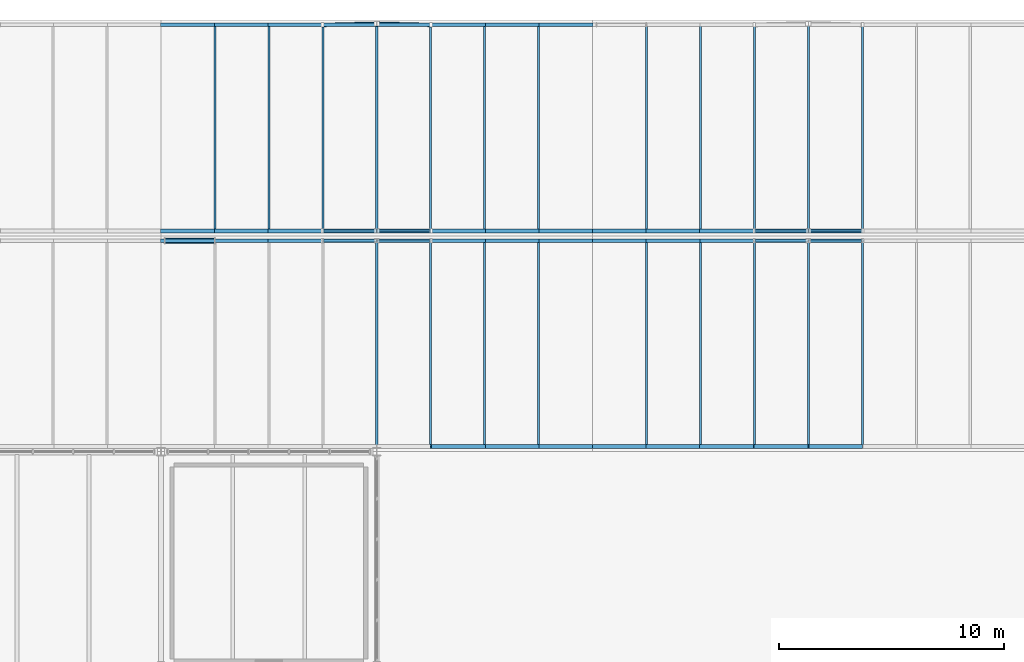
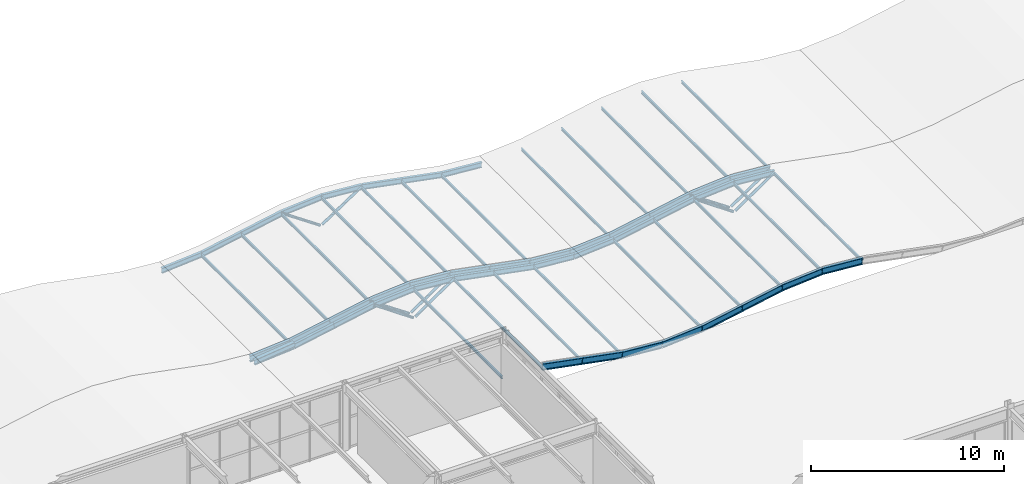
# One storey, part 113 of 170: 42 beams, 32 members.
"""IFC4 building model written with IfcOpenShell, lengths in metres."""

from ifc_helpers import new_model, si_unit, direction, frame, origin, origin_2d, place, context, subcontext, project, spatial, hollow_rectangle, hollow_circle, i_section, extrude, material, material_profile, profile_set, type_object, element, save


model = new_model("IFC4")

# Units and contexts
model_context = context("Model", 3, precision=1e-05, world=origin(), true_north=direction((0.0, 1.0)))
body_context = subcontext(model_context, "Body", "Model", "MODEL_VIEW")
ifc_project = project(units=[si_unit("LENGTHUNIT", "METRE"), si_unit("AREAUNIT", "SQUARE_METRE"), si_unit("VOLUMEUNIT", "CUBIC_METRE"), si_unit("PLANEANGLEUNIT", "RADIAN"), si_unit("MASSUNIT", "GRAM", prefix="KILO")], contexts=[model_context])

# Site, building, storey
site_placement = place(None, origin())
site = spatial("IfcSite", under=ifc_project, at=site_placement, CompositionType="ELEMENT")
building_placement = place(site_placement, origin())
building = spatial("IfcBuilding", under=site, at=building_placement, Name="Coralgate Yard Interchange", CompositionType="ELEMENT")
storey_placement = place(building_placement, frame((0.0, 0.0, 6.0)))
storey = spatial("IfcBuildingStorey", under=building, at=storey_placement, Name="L01", CompositionType="ELEMENT", Elevation=6.0)

# Beams
ifc_material_1 = material(Name="Off-white architectural structural steel S355J2", Category="steel")
ifc_material_profile_1 = material_profile(ifc_material_1, i_section(OverallWidth=0.179931640625, OverallDepth=0.39990234375, WebThickness=0.008544921875, FlangeThickness=0.013427734375, FilletRadius=0.02099609375, at=origin_2d()), Name="IPE 400")
ifc_profile_set_1 = profile_set([ifc_material_profile_1], Name="Off-white architectural structural steel S355J2")
beam_type_1 = type_object("IfcBeamType", Name="BM-WR-1", PredefinedType="BEAM", material=ifc_profile_set_1)
beam_1_placement = place(storey_placement, frame((108.0, 96.219970703125, 0.90966796875), z_axis=(0.98214301705, 0.0, -0.18813583938), x_axis=(0.0, 1.0, 0.0)))
element("IfcBeam", 1, at=beam_1_placement, inside=storey, type_object=beam_type_1, Name="Wave-shell steel arch rib R1-W4-S6", PredefinedType="BEAM", context=body_context, shape_type="SweptSolid", body=[
    extrude(i_section(OverallWidth=0.179931640625, OverallDepth=0.39990234375, WebThickness=0.008544921875, FlangeThickness=0.013427734375, FilletRadius=0.02099609375, at=origin_2d()), origin(), (0.0, 0.0, 1.0), 2.443603515625),
])
beam_2_placement = place(storey_placement, frame((110.39990234375, 96.219970703125, 0.449951171875), z_axis=(0.982165006537, 0.0, -0.188021009287), x_axis=(0.0, 1.0, 0.0)))
element("IfcBeam", 2, at=beam_2_placement, inside=storey, type_object=beam_type_1, Name="Wave-shell steel arch rib R1-W4-S7", PredefinedType="BEAM", context=body_context, shape_type="SweptSolid", body=[
    extrude(i_section(OverallWidth=0.179931640625, OverallDepth=0.39990234375, WebThickness=0.008544921875, FlangeThickness=0.013427734375, FilletRadius=0.02099609375, at=origin_2d()), origin(), (0.0, 0.0, 1.0), 2.44384765625),
])
beam_3_placement = place(storey_placement, frame((112.800048828125, 96.219970703125, -0.009521484375), z_axis=(0.996866661985, 0.0, -0.079100304817), x_axis=(0.0, 1.0, 0.0)))
element("IfcBeam", 3, at=beam_3_placement, inside=storey, type_object=beam_type_1, Name="Wave-shell steel arch rib R1-W4-S8", PredefinedType="BEAM", context=body_context, shape_type="SweptSolid", body=[
    extrude(i_section(OverallWidth=0.179931640625, OverallDepth=0.39990234375, WebThickness=0.008544921875, FlangeThickness=0.013427734375, FilletRadius=0.02099609375, at=origin_2d()), origin(), (0.0, 0.0, 1.0), 2.407470703125),
])
beam_4_placement = place(storey_placement, frame((115.199951171875, 96.219970703125, -0.199951171875), z_axis=(0.996867296401, 0.0, 0.079092309144), x_axis=(0.0, 1.0, 0.0)))
element("IfcBeam", 4, at=beam_4_placement, inside=storey, type_object=beam_type_1, Name="Wave-shell steel arch rib R1-W5-S1", PredefinedType="BEAM", context=body_context, shape_type="SweptSolid", body=[
    extrude(i_section(OverallWidth=0.179931640625, OverallDepth=0.39990234375, WebThickness=0.008544921875, FlangeThickness=0.013427734375, FilletRadius=0.02099609375, at=origin_2d()), origin(), (0.0, 0.0, 1.0), 2.40771484375),
])
for number, where, z_axis, x_axis, name in (
    (5, (117.60009765625, 96.219970703125, -0.009521484375), (0.98216147419, 0.0, 0.188039460267), (0.0, 1.0, 0.0), "Wave-shell steel arch rib R1-W5-S2"),
    (6, (120.0, 96.219970703125, 0.449951171875), (0.98214301705, 0.0, 0.18813583938), (0.0, 1.0, 0.0), "Wave-shell steel arch rib R1-W5-S3"),
):
    element("IfcBeam", number, at=place(storey_placement, frame(where, z_axis=z_axis, x_axis=x_axis)), inside=storey, type_object=beam_type_1, Name=name, PredefinedType="BEAM", context=body_context, shape_type="SweptSolid", body=[
        extrude(i_section(OverallWidth=0.179931640625, OverallDepth=0.39990234375, WebThickness=0.008544921875, FlangeThickness=0.013427734375, FilletRadius=0.02099609375, at=origin_2d()), origin(), (0.0, 0.0, 1.0), 2.443603515625),
    ])
beam_5_placement = place(storey_placement, frame((122.39990234375, 96.219970703125, 0.90966796875), z_axis=(0.996867296401, 0.0, 0.079092309144), x_axis=(0.0, 1.0, 0.0)))
element("IfcBeam", 7, at=beam_5_placement, inside=storey, type_object=beam_type_1, Name="Wave-shell steel arch rib R1-W5-S4", PredefinedType="BEAM", context=body_context, shape_type="SweptSolid", body=[
    extrude(i_section(OverallWidth=0.179931640625, OverallDepth=0.39990234375, WebThickness=0.008544921875, FlangeThickness=0.013427734375, FilletRadius=0.02099609375, at=origin_2d()), origin(), (0.0, 0.0, 1.0), 2.40771484375),
])
for number, where, z_axis, x_axis, name in (
    (8, (124.800048828125, 96.219970703125, 1.10009765625), (0.996866661985, 0.0, -0.079100304817), (0.0, 1.0, 0.0), "Wave-shell steel arch rib R1-W5-S5"),
    (9, (96.0, 105.820068359375, -0.199951171875), (0.996866661985, 0.0, 0.079100304817), (0.0, 1.0, 0.0), "Wave-shell steel arch rib R2-W4-S1"),
):
    element("IfcBeam", number, at=place(storey_placement, frame(where, z_axis=z_axis, x_axis=x_axis)), inside=storey, type_object=beam_type_1, Name=name, PredefinedType="BEAM", context=body_context, shape_type="SweptSolid", body=[
        extrude(i_section(OverallWidth=0.179931640625, OverallDepth=0.39990234375, WebThickness=0.008544921875, FlangeThickness=0.013427734375, FilletRadius=0.02099609375, at=origin_2d()), origin(), (0.0, 0.0, 1.0), 2.407470703125),
    ])
beam_6_placement = place(storey_placement, frame((98.39990234375, 105.820068359375, -0.009521484375), z_axis=(0.982165006537, 0.0, 0.188021009287), x_axis=(0.0, 1.0, 0.0)))
element("IfcBeam", 10, at=beam_6_placement, inside=storey, type_object=beam_type_1, Name="Wave-shell steel arch rib R2-W4-S2", PredefinedType="BEAM", context=body_context, shape_type="SweptSolid", body=[
    extrude(i_section(OverallWidth=0.179931640625, OverallDepth=0.39990234375, WebThickness=0.008544921875, FlangeThickness=0.013427734375, FilletRadius=0.02099609375, at=origin_2d()), origin(), (0.0, 0.0, 1.0), 2.44384765625),
])
beam_7_placement = place(storey_placement, frame((100.800048828125, 105.820068359375, 0.449951171875), z_axis=(0.98214301705, 0.0, 0.18813583938), x_axis=(0.0, 1.0, 0.0)))
element("IfcBeam", 11, at=beam_7_placement, inside=storey, type_object=beam_type_1, Name="Wave-shell steel arch rib R2-W4-S3", PredefinedType="BEAM", context=body_context, shape_type="SweptSolid", body=[
    extrude(i_section(OverallWidth=0.179931640625, OverallDepth=0.39990234375, WebThickness=0.008544921875, FlangeThickness=0.013427734375, FilletRadius=0.02099609375, at=origin_2d()), origin(), (0.0, 0.0, 1.0), 2.443603515625),
])
beam_8_placement = place(storey_placement, frame((103.199951171875, 105.820068359375, 0.90966796875), z_axis=(0.996867296401, 0.0, 0.079092309144), x_axis=(0.0, 1.0, 0.0)))
element("IfcBeam", 12, at=beam_8_placement, inside=storey, type_object=beam_type_1, Name="Wave-shell steel arch rib R2-W4-S4", PredefinedType="BEAM", context=body_context, shape_type="SweptSolid", body=[
    extrude(i_section(OverallWidth=0.179931640625, OverallDepth=0.39990234375, WebThickness=0.008544921875, FlangeThickness=0.013427734375, FilletRadius=0.02099609375, at=origin_2d()), origin(), (0.0, 0.0, 1.0), 2.40771484375),
])
beam_9_placement = place(storey_placement, frame((105.60009765625, 105.820068359375, 1.10009765625), z_axis=(0.996866661985, 0.0, -0.079100304817), x_axis=(0.0, 1.0, 0.0)))
element("IfcBeam", 13, at=beam_9_placement, inside=storey, type_object=beam_type_1, Name="Wave-shell steel arch rib R2-W4-S5", PredefinedType="BEAM", context=body_context, shape_type="SweptSolid", body=[
    extrude(i_section(OverallWidth=0.179931640625, OverallDepth=0.39990234375, WebThickness=0.008544921875, FlangeThickness=0.013427734375, FilletRadius=0.02099609375, at=origin_2d()), origin(), (0.0, 0.0, 1.0), 2.407470703125),
])
beam_10_placement = place(storey_placement, frame((108.0, 105.820068359375, 0.90966796875), z_axis=(0.98214301705, 0.0, -0.18813583938), x_axis=(0.0, 1.0, 0.0)))
element("IfcBeam", 14, at=beam_10_placement, inside=storey, type_object=beam_type_1, Name="Wave-shell steel arch rib R2-W4-S6", PredefinedType="BEAM", context=body_context, shape_type="SweptSolid", body=[
    extrude(i_section(OverallWidth=0.179931640625, OverallDepth=0.39990234375, WebThickness=0.008544921875, FlangeThickness=0.013427734375, FilletRadius=0.02099609375, at=origin_2d()), origin(), (0.0, 0.0, 1.0), 2.443603515625),
])
beam_11_placement = place(storey_placement, frame((110.39990234375, 105.820068359375, 0.449951171875), z_axis=(0.982165006537, 0.0, -0.188021009287), x_axis=(0.0, 1.0, 0.0)))
element("IfcBeam", 15, at=beam_11_placement, inside=storey, type_object=beam_type_1, Name="Wave-shell steel arch rib R2-W4-S7", PredefinedType="BEAM", context=body_context, shape_type="SweptSolid", body=[
    extrude(i_section(OverallWidth=0.179931640625, OverallDepth=0.39990234375, WebThickness=0.008544921875, FlangeThickness=0.013427734375, FilletRadius=0.02099609375, at=origin_2d()), origin(), (0.0, 0.0, 1.0), 2.44384765625),
])
beam_12_placement = place(storey_placement, frame((112.800048828125, 105.820068359375, -0.009521484375), z_axis=(0.996866661985, 0.0, -0.079100304817), x_axis=(0.0, 1.0, 0.0)))
element("IfcBeam", 16, at=beam_12_placement, inside=storey, type_object=beam_type_1, Name="Wave-shell steel arch rib R2-W4-S8", PredefinedType="BEAM", context=body_context, shape_type="SweptSolid", body=[
    extrude(i_section(OverallWidth=0.179931640625, OverallDepth=0.39990234375, WebThickness=0.008544921875, FlangeThickness=0.013427734375, FilletRadius=0.02099609375, at=origin_2d()), origin(), (0.0, 0.0, 1.0), 2.407470703125),
])
beam_13_placement = place(storey_placement, frame((115.199951171875, 105.820068359375, -0.199951171875), z_axis=(0.996867296401, 0.0, 0.079092309144), x_axis=(0.0, 1.0, 0.0)))
element("IfcBeam", 17, at=beam_13_placement, inside=storey, type_object=beam_type_1, Name="Wave-shell steel arch rib R2-W5-S1", PredefinedType="BEAM", context=body_context, shape_type="SweptSolid", body=[
    extrude(i_section(OverallWidth=0.179931640625, OverallDepth=0.39990234375, WebThickness=0.008544921875, FlangeThickness=0.013427734375, FilletRadius=0.02099609375, at=origin_2d()), origin(), (0.0, 0.0, 1.0), 2.40771484375),
])
for number, where, z_axis, x_axis, name in (
    (18, (117.60009765625, 105.820068359375, -0.009521484375), (0.98216147419, 0.0, 0.188039460267), (0.0, 1.0, 0.0), "Wave-shell steel arch rib R2-W5-S2"),
    (19, (120.0, 105.820068359375, 0.449951171875), (0.98214301705, 0.0, 0.18813583938), (0.0, 1.0, 0.0), "Wave-shell steel arch rib R2-W5-S3"),
):
    element("IfcBeam", number, at=place(storey_placement, frame(where, z_axis=z_axis, x_axis=x_axis)), inside=storey, type_object=beam_type_1, Name=name, PredefinedType="BEAM", context=body_context, shape_type="SweptSolid", body=[
        extrude(i_section(OverallWidth=0.179931640625, OverallDepth=0.39990234375, WebThickness=0.008544921875, FlangeThickness=0.013427734375, FilletRadius=0.02099609375, at=origin_2d()), origin(), (0.0, 0.0, 1.0), 2.443603515625),
    ])
beam_14_placement = place(storey_placement, frame((122.39990234375, 105.820068359375, 0.90966796875), z_axis=(0.996867296401, 0.0, 0.079092309144), x_axis=(0.0, 1.0, 0.0)))
element("IfcBeam", 20, at=beam_14_placement, inside=storey, type_object=beam_type_1, Name="Wave-shell steel arch rib R2-W5-S4", PredefinedType="BEAM", context=body_context, shape_type="SweptSolid", body=[
    extrude(i_section(OverallWidth=0.179931640625, OverallDepth=0.39990234375, WebThickness=0.008544921875, FlangeThickness=0.013427734375, FilletRadius=0.02099609375, at=origin_2d()), origin(), (0.0, 0.0, 1.0), 2.40771484375),
])
beam_15_placement = place(storey_placement, frame((124.800048828125, 105.820068359375, 1.10009765625), z_axis=(0.996866661985, 0.0, -0.079100304817), x_axis=(0.0, 1.0, 0.0)))
element("IfcBeam", 21, at=beam_15_placement, inside=storey, type_object=beam_type_1, Name="Wave-shell steel arch rib R2-W5-S5", PredefinedType="BEAM", context=body_context, shape_type="SweptSolid", body=[
    extrude(i_section(OverallWidth=0.179931640625, OverallDepth=0.39990234375, WebThickness=0.008544921875, FlangeThickness=0.013427734375, FilletRadius=0.02099609375, at=origin_2d()), origin(), (0.0, 0.0, 1.0), 2.407470703125),
])
ifc_material_profile_2 = material_profile(ifc_material_1, i_section(OverallWidth=0.159912109375, OverallDepth=0.330078125, WebThickness=0.007568359375, FlangeThickness=0.011474609375, FilletRadius=0.01806640625, at=origin_2d()), Name="IPE 330")
ifc_profile_set_2 = profile_set([ifc_material_profile_2], Name="Off-white architectural structural steel S355J2")
beam_type_2 = type_object("IfcBeamType", Name="BM-WR-2", PredefinedType="BEAM", material=ifc_profile_set_2)
beam_16_placement = place(storey_placement, frame((96.0, 105.3798828125, -0.1650390625), z_axis=(0.996866661985, 0.0, 0.079100304817), x_axis=(0.0, 1.0, 0.0)))
element("IfcBeam", 22, at=beam_16_placement, inside=storey, type_object=beam_type_2, Name="Wave-shell steel arch rib R1-W4-N1", PredefinedType="BEAM", context=body_context, shape_type="SweptSolid", body=[
    extrude(i_section(OverallWidth=0.159912109375, OverallDepth=0.330078125, WebThickness=0.007568359375, FlangeThickness=0.011474609375, FilletRadius=0.01806640625, at=origin_2d()), origin(), (0.0, 0.0, 1.0), 2.407470703125),
])
beam_17_placement = place(storey_placement, frame((98.39990234375, 105.3798828125, 0.025390625), z_axis=(0.982146552954, 0.0, 0.188117379637), x_axis=(0.0, 1.0, 0.0)))
element("IfcBeam", 23, at=beam_17_placement, inside=storey, type_object=beam_type_2, Name="Wave-shell steel arch rib R1-W4-N2", PredefinedType="BEAM", context=body_context, shape_type="SweptSolid", body=[
    extrude(i_section(OverallWidth=0.159912109375, OverallDepth=0.330078125, WebThickness=0.007568359375, FlangeThickness=0.011474609375, FilletRadius=0.01806640625, at=origin_2d()), origin(), (0.0, 0.0, 1.0), 2.44384765625),
])
beam_18_placement = place(storey_placement, frame((100.800048828125, 105.3798828125, 0.485107421875), z_axis=(0.98216147419, 0.0, 0.188039460267), x_axis=(0.0, 1.0, 0.0)))
element("IfcBeam", 24, at=beam_18_placement, inside=storey, type_object=beam_type_2, Name="Wave-shell steel arch rib R1-W4-N3", PredefinedType="BEAM", context=body_context, shape_type="SweptSolid", body=[
    extrude(i_section(OverallWidth=0.159912109375, OverallDepth=0.330078125, WebThickness=0.007568359375, FlangeThickness=0.011474609375, FilletRadius=0.01806640625, at=origin_2d()), origin(), (0.0, 0.0, 1.0), 2.443603515625),
])
beam_19_placement = place(storey_placement, frame((103.199951171875, 105.3798828125, 0.944580078125), z_axis=(0.996867296401, 0.0, 0.079092309144), x_axis=(0.0, 1.0, 0.0)))
element("IfcBeam", 25, at=beam_19_placement, inside=storey, type_object=beam_type_2, Name="Wave-shell steel arch rib R1-W4-N4", PredefinedType="BEAM", context=body_context, shape_type="SweptSolid", body=[
    extrude(i_section(OverallWidth=0.159912109375, OverallDepth=0.330078125, WebThickness=0.007568359375, FlangeThickness=0.011474609375, FilletRadius=0.01806640625, at=origin_2d()), origin(), (0.0, 0.0, 1.0), 2.40771484375),
])
beam_20_placement = place(storey_placement, frame((105.60009765625, 105.3798828125, 1.135009765625), z_axis=(0.996866661985, 0.0, -0.079100304817), x_axis=(0.0, 1.0, 0.0)))
element("IfcBeam", 26, at=beam_20_placement, inside=storey, type_object=beam_type_2, Name="Wave-shell steel arch rib R1-W4-N5", PredefinedType="BEAM", context=body_context, shape_type="SweptSolid", body=[
    extrude(i_section(OverallWidth=0.159912109375, OverallDepth=0.330078125, WebThickness=0.007568359375, FlangeThickness=0.011474609375, FilletRadius=0.01806640625, at=origin_2d()), origin(), (0.0, 0.0, 1.0), 2.407470703125),
])
beam_21_placement = place(storey_placement, frame((108.0, 105.3798828125, 0.944580078125), z_axis=(0.98216147419, 0.0, -0.188039460267), x_axis=(0.0, 1.0, 0.0)))
element("IfcBeam", 27, at=beam_21_placement, inside=storey, type_object=beam_type_2, Name="Wave-shell steel arch rib R1-W4-N6", PredefinedType="BEAM", context=body_context, shape_type="SweptSolid", body=[
    extrude(i_section(OverallWidth=0.159912109375, OverallDepth=0.330078125, WebThickness=0.007568359375, FlangeThickness=0.011474609375, FilletRadius=0.01806640625, at=origin_2d()), origin(), (0.0, 0.0, 1.0), 2.443603515625),
])
beam_22_placement = place(storey_placement, frame((110.39990234375, 105.3798828125, 0.485107421875), z_axis=(0.982146552954, 0.0, -0.188117379637), x_axis=(0.0, 1.0, 0.0)))
element("IfcBeam", 28, at=beam_22_placement, inside=storey, type_object=beam_type_2, Name="Wave-shell steel arch rib R1-W4-N7", PredefinedType="BEAM", context=body_context, shape_type="SweptSolid", body=[
    extrude(i_section(OverallWidth=0.159912109375, OverallDepth=0.330078125, WebThickness=0.007568359375, FlangeThickness=0.011474609375, FilletRadius=0.01806640625, at=origin_2d()), origin(), (0.0, 0.0, 1.0), 2.44384765625),
])
beam_23_placement = place(storey_placement, frame((112.800048828125, 105.3798828125, 0.025390625), z_axis=(0.996866661985, 0.0, -0.079100304817), x_axis=(0.0, 1.0, 0.0)))
element("IfcBeam", 29, at=beam_23_placement, inside=storey, type_object=beam_type_2, Name="Wave-shell steel arch rib R1-W4-N8", PredefinedType="BEAM", context=body_context, shape_type="SweptSolid", body=[
    extrude(i_section(OverallWidth=0.159912109375, OverallDepth=0.330078125, WebThickness=0.007568359375, FlangeThickness=0.011474609375, FilletRadius=0.01806640625, at=origin_2d()), origin(), (0.0, 0.0, 1.0), 2.407470703125),
])
beam_24_placement = place(storey_placement, frame((115.199951171875, 105.3798828125, -0.1650390625), z_axis=(0.996867296401, 0.0, 0.079092309144), x_axis=(0.0, 1.0, 0.0)))
element("IfcBeam", 30, at=beam_24_placement, inside=storey, type_object=beam_type_2, Name="Wave-shell steel arch rib R1-W5-N1", PredefinedType="BEAM", context=body_context, shape_type="SweptSolid", body=[
    extrude(i_section(OverallWidth=0.159912109375, OverallDepth=0.330078125, WebThickness=0.007568359375, FlangeThickness=0.011474609375, FilletRadius=0.01806640625, at=origin_2d()), origin(), (0.0, 0.0, 1.0), 2.40771484375),
])
for number, where, z_axis, x_axis, name in (
    (31, (117.60009765625, 105.3798828125, 0.025390625), (0.98214301705, 0.0, 0.18813583938), (0.0, 1.0, 0.0), "Wave-shell steel arch rib R1-W5-N2"),
    (32, (120.0, 105.3798828125, 0.485107421875), (0.98216147419, 0.0, 0.188039460267), (0.0, 1.0, 0.0), "Wave-shell steel arch rib R1-W5-N3"),
):
    element("IfcBeam", number, at=place(storey_placement, frame(where, z_axis=z_axis, x_axis=x_axis)), inside=storey, type_object=beam_type_2, Name=name, PredefinedType="BEAM", context=body_context, shape_type="SweptSolid", body=[
        extrude(i_section(OverallWidth=0.159912109375, OverallDepth=0.330078125, WebThickness=0.007568359375, FlangeThickness=0.011474609375, FilletRadius=0.01806640625, at=origin_2d()), origin(), (0.0, 0.0, 1.0), 2.443603515625),
    ])
beam_25_placement = place(storey_placement, frame((122.39990234375, 105.3798828125, 0.944580078125), z_axis=(0.996867296401, 0.0, 0.079092309144), x_axis=(0.0, 1.0, 0.0)))
element("IfcBeam", 33, at=beam_25_placement, inside=storey, type_object=beam_type_2, Name="Wave-shell steel arch rib R1-W5-N4", PredefinedType="BEAM", context=body_context, shape_type="SweptSolid", body=[
    extrude(i_section(OverallWidth=0.159912109375, OverallDepth=0.330078125, WebThickness=0.007568359375, FlangeThickness=0.011474609375, FilletRadius=0.01806640625, at=origin_2d()), origin(), (0.0, 0.0, 1.0), 2.40771484375),
])
for number, where, z_axis, x_axis, name in (
    (34, (124.800048828125, 105.3798828125, 1.135009765625), (0.996866661985, 0.0, -0.079100304817), (0.0, 1.0, 0.0), "Wave-shell steel arch rib R1-W5-N5"),
    (35, (96.0, 114.97998046875, -0.1650390625), (0.996866661985, 0.0, 0.079100304817), (0.0, 1.0, 0.0), "Wave-shell steel arch rib R2-W4-N1"),
):
    element("IfcBeam", number, at=place(storey_placement, frame(where, z_axis=z_axis, x_axis=x_axis)), inside=storey, type_object=beam_type_2, Name=name, PredefinedType="BEAM", context=body_context, shape_type="SweptSolid", body=[
        extrude(i_section(OverallWidth=0.159912109375, OverallDepth=0.330078125, WebThickness=0.007568359375, FlangeThickness=0.011474609375, FilletRadius=0.01806640625, at=origin_2d()), origin(), (0.0, 0.0, 1.0), 2.407470703125),
    ])
beam_26_placement = place(storey_placement, frame((98.39990234375, 114.97998046875, 0.025390625), z_axis=(0.982146552954, 0.0, 0.188117379637), x_axis=(0.0, 1.0, 0.0)))
element("IfcBeam", 36, at=beam_26_placement, inside=storey, type_object=beam_type_2, Name="Wave-shell steel arch rib R2-W4-N2", PredefinedType="BEAM", context=body_context, shape_type="SweptSolid", body=[
    extrude(i_section(OverallWidth=0.159912109375, OverallDepth=0.330078125, WebThickness=0.007568359375, FlangeThickness=0.011474609375, FilletRadius=0.01806640625, at=origin_2d()), origin(), (0.0, 0.0, 1.0), 2.44384765625),
])
beam_27_placement = place(storey_placement, frame((100.800048828125, 114.97998046875, 0.485107421875), z_axis=(0.98216147419, 0.0, 0.188039460267), x_axis=(0.0, 1.0, 0.0)))
element("IfcBeam", 37, at=beam_27_placement, inside=storey, type_object=beam_type_2, Name="Wave-shell steel arch rib R2-W4-N3", PredefinedType="BEAM", context=body_context, shape_type="SweptSolid", body=[
    extrude(i_section(OverallWidth=0.159912109375, OverallDepth=0.330078125, WebThickness=0.007568359375, FlangeThickness=0.011474609375, FilletRadius=0.01806640625, at=origin_2d()), origin(), (0.0, 0.0, 1.0), 2.443603515625),
])
beam_28_placement = place(storey_placement, frame((103.199951171875, 114.97998046875, 0.944580078125), z_axis=(0.996867296401, 0.0, 0.079092309144), x_axis=(0.0, 1.0, 0.0)))
element("IfcBeam", 38, at=beam_28_placement, inside=storey, type_object=beam_type_2, Name="Wave-shell steel arch rib R2-W4-N4", PredefinedType="BEAM", context=body_context, shape_type="SweptSolid", body=[
    extrude(i_section(OverallWidth=0.159912109375, OverallDepth=0.330078125, WebThickness=0.007568359375, FlangeThickness=0.011474609375, FilletRadius=0.01806640625, at=origin_2d()), origin(), (0.0, 0.0, 1.0), 2.40771484375),
])
beam_29_placement = place(storey_placement, frame((105.60009765625, 114.97998046875, 1.135009765625), z_axis=(0.996866661985, 0.0, -0.079100304817), x_axis=(0.0, 1.0, 0.0)))
element("IfcBeam", 39, at=beam_29_placement, inside=storey, type_object=beam_type_2, Name="Wave-shell steel arch rib R2-W4-N5", PredefinedType="BEAM", context=body_context, shape_type="SweptSolid", body=[
    extrude(i_section(OverallWidth=0.159912109375, OverallDepth=0.330078125, WebThickness=0.007568359375, FlangeThickness=0.011474609375, FilletRadius=0.01806640625, at=origin_2d()), origin(), (0.0, 0.0, 1.0), 2.407470703125),
])
beam_30_placement = place(storey_placement, frame((108.0, 114.97998046875, 0.944580078125), z_axis=(0.98216147419, 0.0, -0.188039460267), x_axis=(0.0, 1.0, 0.0)))
element("IfcBeam", 40, at=beam_30_placement, inside=storey, type_object=beam_type_2, Name="Wave-shell steel arch rib R2-W4-N6", PredefinedType="BEAM", context=body_context, shape_type="SweptSolid", body=[
    extrude(i_section(OverallWidth=0.159912109375, OverallDepth=0.330078125, WebThickness=0.007568359375, FlangeThickness=0.011474609375, FilletRadius=0.01806640625, at=origin_2d()), origin(), (0.0, 0.0, 1.0), 2.443603515625),
])
beam_31_placement = place(storey_placement, frame((110.39990234375, 114.97998046875, 0.485107421875), z_axis=(0.982146552954, 0.0, -0.188117379637), x_axis=(0.0, 1.0, 0.0)))
element("IfcBeam", 41, at=beam_31_placement, inside=storey, type_object=beam_type_2, Name="Wave-shell steel arch rib R2-W4-N7", PredefinedType="BEAM", context=body_context, shape_type="SweptSolid", body=[
    extrude(i_section(OverallWidth=0.159912109375, OverallDepth=0.330078125, WebThickness=0.007568359375, FlangeThickness=0.011474609375, FilletRadius=0.01806640625, at=origin_2d()), origin(), (0.0, 0.0, 1.0), 2.44384765625),
])
beam_32_placement = place(storey_placement, frame((112.800048828125, 114.97998046875, 0.025390625), z_axis=(0.996866661985, 0.0, -0.079100304817), x_axis=(0.0, 1.0, 0.0)))
element("IfcBeam", 42, at=beam_32_placement, inside=storey, type_object=beam_type_2, Name="Wave-shell steel arch rib R2-W4-N8", PredefinedType="BEAM", context=body_context, shape_type="SweptSolid", body=[
    extrude(i_section(OverallWidth=0.159912109375, OverallDepth=0.330078125, WebThickness=0.007568359375, FlangeThickness=0.011474609375, FilletRadius=0.01806640625, at=origin_2d()), origin(), (0.0, 0.0, 1.0), 2.407470703125),
])

# Members
ifc_material_2 = material(Name="Weather-coated structural steel S355J2", Category="steel")
ifc_material_profile_3 = material_profile(ifc_material_2, hollow_rectangle(XDim=0.25, YDim=0.25, WallThickness=0.012451171875, InnerFilletRadius=0.012451171875, OuterFilletRadius=0.02490234375, at=origin_2d()), Name="SHS 250x250x12.5")
ifc_profile_set_3 = profile_set([ifc_material_profile_3], Name="Weather-coated structural steel S355J2")
member_type_1 = type_object("IfcMemberType", Name="MB-GC-4", PredefinedType="CHORD", material=ifc_profile_set_3)
member_1_placement = place(storey_placement, frame((96.179931640625, 105.3798828125, -0.080078125), z_axis=(0.993088023617, 0.0, 0.117371961508), x_axis=(0.0, 1.0, 0.0)))
element("IfcMember", 43, at=member_1_placement, inside=storey, type_object=member_type_1, Name="Wave-canopy longitudinal tie member 4", PredefinedType="CHORD", context=body_context, shape_type="SweptSolid", body=[
    extrude(hollow_rectangle(XDim=0.25, YDim=0.25, WallThickness=0.012451171875, InnerFilletRadius=0.012451171875, OuterFilletRadius=0.02490234375, at=origin_2d()), origin(), (0.0, 0.0, 1.0), 2.21533203125),
])
ifc_material_3 = material(Name="Yellow-ochre weather-coated structural steel S355J2", Category="steel")
ifc_material_profile_4 = material_profile(ifc_material_3, hollow_circle(Radius=0.084228515625, WallThickness=0.008056640625, at=origin_2d()), Name="CHS 168.3x8")
ifc_profile_set_4 = profile_set([ifc_material_profile_4], Name="Yellow-ochre weather-coated structural steel S355J2")
member_type_2 = type_object("IfcMemberType", Name="MB-HG-2", PredefinedType="STRUT", material=ifc_profile_set_4)
for number, where, z_axis, x_axis, name in (
    (44, (105.5400390625, 105.3798828125, -0.679931640625), (-0.821460297875, 0.0, 0.570265709135), (0.0, -1.0, 0.0), "Wave-shell inclined V-strut WVBR-R1-W4-N-L"),
    (45, (105.659912109375, 105.3798828125, -0.679931640625), (0.821460297875, 0.0, 0.570265709135), (0.0, 1.0, 0.0), "Wave-shell inclined V-strut WVBR-R1-W4-N-R"),
    (46, (124.739990234375, 105.3798828125, -0.679931640625), (-0.821460297875, 0.0, 0.570265709135), (0.0, -1.0, 0.0), "Wave-shell inclined V-strut WVBR-R1-W5-N-L"),
):
    element("IfcMember", number, at=place(storey_placement, frame(where, z_axis=z_axis, x_axis=x_axis)), inside=storey, type_object=member_type_2, Name=name, PredefinedType="STRUT", context=body_context, shape_type="SweptSolid", body=[
        extrude(hollow_circle(Radius=0.084228515625, WallThickness=0.008056640625, at=origin_2d()), origin(), (0.0, 0.0, 1.0), 2.8486328125),
    ])
member_2_placement = place(storey_placement, frame((124.860107421875, 105.3798828125, -0.679931640625), z_axis=(0.821432424161, 0.0, 0.570305858761), x_axis=(0.0, 1.0, 0.0)))
element("IfcMember", 47, at=member_2_placement, inside=storey, type_object=member_type_2, Name="Wave-shell inclined V-strut WVBR-R1-W5-N-R", PredefinedType="STRUT", context=body_context, shape_type="SweptSolid", body=[
    extrude(hollow_circle(Radius=0.084228515625, WallThickness=0.008056640625, at=origin_2d()), origin(), (0.0, 0.0, 1.0), 2.848388671875),
])
for number, where, z_axis, x_axis, name in (
    (48, (105.5400390625, 105.820068359375, -0.679931640625), (-0.827199283426, 0.0, 0.561908662951), (0.0, -1.0, 0.0), "Wave-shell inclined V-strut WVBR-R2-W4-S-L"),
    (49, (105.659912109375, 105.820068359375, -0.679931640625), (0.827199283426, 0.0, 0.561908662951), (0.0, 1.0, 0.0), "Wave-shell inclined V-strut WVBR-R2-W4-S-R"),
):
    element("IfcMember", number, at=place(storey_placement, frame(where, z_axis=z_axis, x_axis=x_axis)), inside=storey, type_object=member_type_2, Name=name, PredefinedType="STRUT", context=body_context, shape_type="SweptSolid", body=[
        extrude(hollow_circle(Radius=0.084228515625, WallThickness=0.008056640625, at=origin_2d()), origin(), (0.0, 0.0, 1.0), 2.828857421875),
    ])
for number, where, z_axis, x_axis, name in (
    (50, (105.5400390625, 115.0400390625, -0.679931640625), (-0.821277794471, -0.021078178137, 0.570139013501), (0.025656653127, -0.999670813893, 0.0), "Wave-shell inclined V-strut WVBR-R2-W4-N-L"),
    (51, (105.659912109375, 115.0400390625, -0.679931640625), (0.821277794471, -0.021078178137, 0.570139013501), (0.025656653127, 0.999670813893, 0.0), "Wave-shell inclined V-strut WVBR-R2-W4-N-R"),
):
    element("IfcMember", number, at=place(storey_placement, frame(where, z_axis=z_axis, x_axis=x_axis)), inside=storey, type_object=member_type_2, Name=name, PredefinedType="STRUT", context=body_context, shape_type="SweptSolid", body=[
        extrude(hollow_circle(Radius=0.084228515625, WallThickness=0.008056640625, at=origin_2d()), origin(), (0.0, 0.0, 1.0), 2.849365234375),
    ])
member_3_placement = place(storey_placement, frame((124.739990234375, 105.820068359375, -0.679931640625), z_axis=(-0.827199283426, 0.0, 0.561908662951), x_axis=(0.0, -1.0, 0.0)))
element("IfcMember", 52, at=member_3_placement, inside=storey, type_object=member_type_2, Name="Wave-shell inclined V-strut WVBR-R2-W5-S-L", PredefinedType="STRUT", context=body_context, shape_type="SweptSolid", body=[
    extrude(hollow_circle(Radius=0.084228515625, WallThickness=0.008056640625, at=origin_2d()), origin(), (0.0, 0.0, 1.0), 2.828857421875),
])
member_4_placement = place(storey_placement, frame((124.860107421875, 105.820068359375, -0.679931640625), z_axis=(0.827172031576, 0.0, 0.561948778964), x_axis=(0.0, 1.0, 0.0)))
element("IfcMember", 53, at=member_4_placement, inside=storey, type_object=member_type_2, Name="Wave-shell inclined V-strut WVBR-R2-W5-S-R", PredefinedType="STRUT", context=body_context, shape_type="SweptSolid", body=[
    extrude(hollow_circle(Radius=0.084228515625, WallThickness=0.008056640625, at=origin_2d()), origin(), (0.0, 0.0, 1.0), 2.82861328125),
])
ifc_material_profile_5 = material_profile(ifc_material_1, i_section(OverallWidth=0.091064453125, OverallDepth=0.179931640625, WebThickness=0.00537109375, FlangeThickness=0.008056640625, FilletRadius=0.009033203125, at=origin_2d()), Name="IPE 180")
ifc_profile_set_5 = profile_set([ifc_material_profile_5], Name="Off-white architectural structural steel S355J2")
member_type_3 = type_object("IfcMemberType", Name="MB-PR-2", PredefinedType="PURLIN", material=ifc_profile_set_5)
for number, where, z_axis, x_axis, name in (
    (54, (105.60009765625, 96.199951171875, 1.06005859375), (0.0, 1.0, 0.0), (-1.0, 0.0, 0.0), "Wave-shell purlin R1-W4-5"),
    (55, (108.0, 96.199951171875, 0.86962890625), (0.0, 1.0, 0.0), (-1.0, 0.0, 0.0), "Wave-shell purlin R1-W4-6"),
    (56, (110.39990234375, 96.199951171875, 0.409912109375), (0.0, 1.0, 0.0), (-1.0, 0.0, 0.0), "Wave-shell purlin R1-W4-7"),
    (57, (112.800048828125, 96.199951171875, -0.049560546875), (0.0, 1.0, 0.0), (-1.0, 0.0, 0.0), "Wave-shell purlin R1-W4-8"),
    (58, (117.60009765625, 96.199951171875, -0.049560546875), (0.0, 1.0, 0.0), (-1.0, 0.0, 0.0), "Wave-shell purlin R1-W5-2"),
    (59, (120.0, 96.199951171875, 0.409912109375), (0.0, 1.0, 0.0), (-1.0, 0.0, 0.0), "Wave-shell purlin R1-W5-3"),
    (60, (122.39990234375, 96.199951171875, 0.86962890625), (0.0, 1.0, 0.0), (-1.0, 0.0, 0.0), "Wave-shell purlin R1-W5-4"),
    (61, (124.800048828125, 96.199951171875, 1.06005859375), (0.0, 1.0, 0.0), (-1.0, 0.0, 0.0), "Wave-shell purlin R1-W5-5"),
    (62, (127.199951171875, 96.199951171875, 0.86962890625), (0.0, 1.0, 0.0), (-1.0, 0.0, 0.0), "Wave-shell purlin R1-W5-6"),
    (63, (98.39990234375, 105.800048828125, -0.049560546875), (0.0, 1.0, 0.0), (-1.0, 0.0, 0.0), "Wave-shell purlin R2-W4-2"),
    (64, (100.800048828125, 105.800048828125, 0.409912109375), (0.0, 1.0, 0.0), (-1.0, 0.0, 0.0), "Wave-shell purlin R2-W4-3"),
    (65, (103.199951171875, 105.800048828125, 0.86962890625), (0.0, 1.0, 0.0), (-1.0, 0.0, 0.0), "Wave-shell purlin R2-W4-4"),
    (66, (105.60009765625, 105.800048828125, 1.06005859375), (0.0, 1.0, 0.0), (-1.0, 0.0, 0.0), "Wave-shell purlin R2-W4-5"),
    (67, (108.0, 105.800048828125, 0.86962890625), (0.0, 1.0, 0.0), (-1.0, 0.0, 0.0), "Wave-shell purlin R2-W4-6"),
    (68, (110.39990234375, 105.800048828125, 0.409912109375), (0.0, 1.0, 0.0), (-1.0, 0.0, 0.0), "Wave-shell purlin R2-W4-7"),
    (69, (112.800048828125, 105.800048828125, -0.049560546875), (0.0, 1.0, 0.0), (-1.0, 0.0, 0.0), "Wave-shell purlin R2-W4-8"),
    (70, (117.60009765625, 105.800048828125, -0.049560546875), (0.0, 1.0, 0.0), (-1.0, 0.0, 0.0), "Wave-shell purlin R2-W5-2"),
    (71, (120.0, 105.800048828125, 0.409912109375), (0.0, 1.0, 0.0), (-1.0, 0.0, 0.0), "Wave-shell purlin R2-W5-3"),
    (72, (122.39990234375, 105.800048828125, 0.86962890625), (0.0, 1.0, 0.0), (-1.0, 0.0, 0.0), "Wave-shell purlin R2-W5-4"),
    (73, (124.800048828125, 105.800048828125, 1.06005859375), (0.0, 1.0, 0.0), (-1.0, 0.0, 0.0), "Wave-shell purlin R2-W5-5"),
    (74, (127.199951171875, 105.800048828125, 0.86962890625), (0.0, 1.0, 0.0), (-1.0, 0.0, 0.0), "Wave-shell purlin R2-W5-6"),
):
    element("IfcMember", number, at=place(storey_placement, frame(where, z_axis=z_axis, x_axis=x_axis)), inside=storey, type_object=member_type_3, Name=name, PredefinedType="PURLIN", context=body_context, shape_type="SweptSolid", body=[
        extrude(i_section(OverallWidth=0.091064453125, OverallDepth=0.179931640625, WebThickness=0.00537109375, FlangeThickness=0.008056640625, FilletRadius=0.009033203125, at=origin_2d()), origin(), (0.0, 0.0, 1.0), 9.199951171875),
    ])

save(model, "model.ifc")
